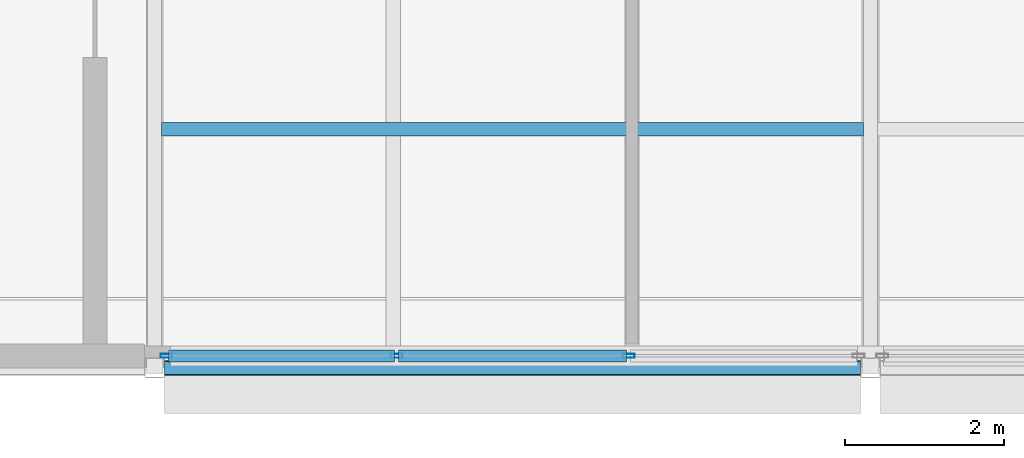
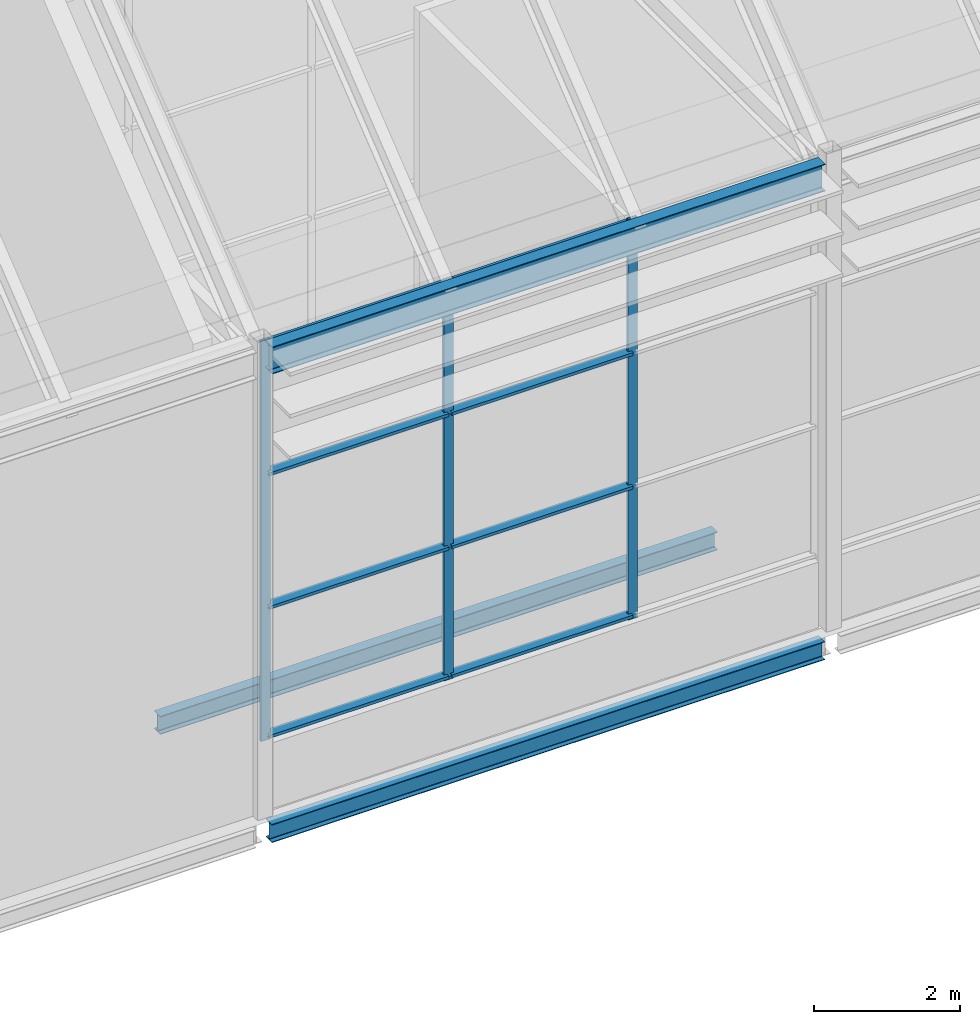
# One storey, part 10 of 144: 11 members, 3 beams, 1 element without a shape of its own.
"""IFC4 building model written with IfcOpenShell, lengths in metres."""

from ifc_helpers import new_model, si_unit, direction, frame, origin, origin_2d, place, context, subcontext, project, spatial, hollow_rectangle, i_section, extrude, material, layer, layer_set, material_profile, profile_set, type_object, element, aggregate, save


model = new_model("IFC4")

# Units and contexts
model_context = context("Model", 3, precision=1e-05, world=origin(), true_north=direction((0.0, 1.0)))
body_context = subcontext(model_context, "Body", "Model", "MODEL_VIEW")
ifc_project = project(units=[si_unit("LENGTHUNIT", "METRE"), si_unit("AREAUNIT", "SQUARE_METRE"), si_unit("VOLUMEUNIT", "CUBIC_METRE"), si_unit("PLANEANGLEUNIT", "RADIAN"), si_unit("MASSUNIT", "GRAM", prefix="KILO")], contexts=[model_context])

# Site, building, storey
site_placement = place(None, origin())
site = spatial("IfcSite", under=ifc_project, at=site_placement, CompositionType="ELEMENT")
building_placement = place(site_placement, origin())
building = spatial("IfcBuilding", under=site, at=building_placement, Name="Shorebreak Coast Museum", CompositionType="ELEMENT")
storey_placement = place(building_placement, frame((0.0, 0.0, 36.0)))
storey = spatial("IfcBuildingStorey", under=building, at=storey_placement, Name="L06", CompositionType="ELEMENT", Elevation=36.0)

# Beams
ifc_material_1 = material(Name="Steel Grade 300", Category="steel")
ifc_material_profile_1 = material_profile(ifc_material_1, i_section(OverallWidth=0.166015625, OverallDepth=0.30712890625, WebThickness=0.006591796875, FlangeThickness=0.01171875, FilletRadius=0.011474609375, at=origin_2d()), Name="310UB46.2")
ifc_profile_set_1 = profile_set([ifc_material_profile_1], Name="Steel Grade 300")
beam_type_1 = type_object("IfcBeamType", Name="Floor girder east-west 310UB46.2", PredefinedType="BEAM", material=ifc_profile_set_1)
beam_1_placement = place(storey_placement, frame((63.125, 54.0, -0.32861328125), z_axis=(1.0, 0.0, 0.0), x_axis=(0.0, 1.0, 0.0)))
element("IfcBeam", 1, at=beam_1_placement, inside=storey, type_object=beam_type_1, Name="Floor girder east-west L06 8G", PredefinedType="BEAM", context=body_context, shape_type="SweptSolid", body=[
    extrude(i_section(OverallWidth=0.166015625, OverallDepth=0.30712890625, WebThickness=0.006591796875, FlangeThickness=0.01171875, FilletRadius=0.011474609375, at=origin_2d()), origin(), (0.0, 0.0, 1.0), 8.75),
])
ifc_material_2 = material(Name="Steel Grade 300", Category="steel")
ifc_material_profile_2 = material_profile(ifc_material_2, i_section(OverallWidth=0.1650390625, OverallDepth=0.303955078125, WebThickness=0.006103515625, FlangeThickness=0.01025390625, FilletRadius=0.011474609375, at=origin_2d()), Name="310UB40.4")
ifc_profile_set_2 = profile_set([ifc_material_profile_2], Name="Steel Grade 300")
beam_type_2 = type_object("IfcBeamType", Name="Floor joist 310UB40.4", PredefinedType="JOIST", material=ifc_profile_set_2)
beam_2_placement = place(storey_placement, frame((63.089111328125, 57.0, -0.326904296875), z_axis=(1.0, 0.0, 0.0), x_axis=(0.0, 1.0, 0.0)))
element("IfcBeam", 2, at=beam_2_placement, inside=storey, type_object=beam_type_2, Name="Floor joist L06 bay 8G at 3000 mm", PredefinedType="JOIST", context=body_context, shape_type="SweptSolid", body=[
    extrude(i_section(OverallWidth=0.1650390625, OverallDepth=0.303955078125, WebThickness=0.006103515625, FlangeThickness=0.01025390625, FilletRadius=0.011474609375, at=origin_2d()), origin(), (0.0, 0.0, 1.0), 8.82177734375),
])
ifc_material_3 = material(Name="Steel Grade 300", Category="steel")
ifc_material_profile_3 = material_profile(ifc_material_3, i_section(OverallWidth=0.18994140625, OverallDepth=0.453857421875, WebThickness=0.008544921875, FlangeThickness=0.0126953125, FilletRadius=0.011474609375, at=origin_2d()), Name="460UB67.1")
ifc_profile_set_3 = profile_set([ifc_material_profile_3], Name="Steel Grade 300")
beam_type_3 = type_object("IfcBeamType", Name="Fold valley girder 460UB67.1", PredefinedType="BEAM", material=ifc_profile_set_3)
beam_3_placement = place(storey_placement, frame((63.125, 54.0, 7.593017578125), z_axis=(1.0, 0.0, 0.0), x_axis=(0.0, 1.0, 0.0)))
element("IfcBeam", 3, at=beam_3_placement, inside=storey, type_object=beam_type_3, Name="Fold valley girder FOLD-X line G bay 8G", PredefinedType="BEAM", context=body_context, shape_type="SweptSolid", body=[
    extrude(i_section(OverallWidth=0.18994140625, OverallDepth=0.453857421875, WebThickness=0.008544921875, FlangeThickness=0.0126953125, FilletRadius=0.011474609375, at=origin_2d()), origin(), (0.0, 0.0, 1.0), 8.75),
])

# Curtain wall, members
ifc_material_4 = material(Name="Aluminium", Category="aluminium")
ifc_layer = layer(ifc_material_4, 0.14990234375)
ifc_layer_set = layer_set([ifc_layer], Name="Aluminium")
curtain_wall_type = type_object("IfcCurtainWallType", Name="Storefront curtain wall", PredefinedType="NOTDEFINED", material=ifc_layer_set)
curtain_wall_placement = place(storey_placement, origin())
curtain_wall = element("IfcCurtainWall", 4, at=curtain_wall_placement, inside=storey, type_object=curtain_wall_type, Name="Atrium Hall glazing L06 S 22", PredefinedType="NOTDEFINED")
ifc_material_5 = material(Name="Aluminium", Category="aluminium")
ifc_material_profile_4 = material_profile(ifc_material_5, hollow_rectangle(XDim=0.050048828125, YDim=0.14990234375, WallThickness=0.00390625, at=origin_2d()), Name="AL 150x50 RHS")
ifc_profile_set_4 = profile_set([ifc_material_profile_4], Name="Aluminium")
member_type_1 = type_object("IfcMemberType", Name="Storefront mullion 50 x 150", PredefinedType="MULLION", material=ifc_profile_set_4)
member_1_placement = place(storey_placement, frame((63.14990234375, 54.14990234375, 1.10009765625), z_axis=(0.0, 0.0, 1.0), x_axis=(0.0, 1.0, 0.0)))
member_1 = element("IfcMember", 5, at=member_1_placement, type_object=member_type_1, Name="CW5 mullion 1", PredefinedType="MULLION", context=body_context, shape_type="SweptSolid", body=[
    extrude(hollow_rectangle(XDim=0.050048828125, YDim=0.14990234375, WallThickness=0.00390625, at=origin_2d()), origin(), (0.0, 0.0, 1.0), 6.699951171875),
])
member_2_placement = place(storey_placement, frame((66.041748046875, 54.14990234375, 1.10009765625), z_axis=(0.0, 0.0, 1.0), x_axis=(0.0, 1.0, 0.0)))
member_2 = element("IfcMember", 6, at=member_2_placement, type_object=member_type_1, Name="CW5 mullion 2", PredefinedType="MULLION", context=body_context, shape_type="SweptSolid", body=[
    extrude(hollow_rectangle(XDim=0.050048828125, YDim=0.14990234375, WallThickness=0.00390625, at=origin_2d()), origin(), (0.0, 0.0, 1.0), 6.699951171875),
])
member_3_placement = place(storey_placement, frame((68.958251953125, 54.14990234375, 1.10009765625), z_axis=(0.0, 0.0, 1.0), x_axis=(0.0, 1.0, 0.0)))
member_3 = element("IfcMember", 7, at=member_3_placement, type_object=member_type_1, Name="CW5 mullion 3", PredefinedType="MULLION", context=body_context, shape_type="SweptSolid", body=[
    extrude(hollow_rectangle(XDim=0.050048828125, YDim=0.14990234375, WallThickness=0.00390625, at=origin_2d()), origin(), (0.0, 0.0, 1.0), 6.699951171875),
])
ifc_material_6 = material(Name="Aluminium", Category="aluminium")
ifc_material_profile_5 = material_profile(ifc_material_6, hollow_rectangle(XDim=0.14990234375, YDim=0.050048828125, WallThickness=0.00390625, at=origin_2d()), Name="AL 50x150 RHS")
ifc_profile_set_5 = profile_set([ifc_material_profile_5], Name="Aluminium")
member_type_2 = type_object("IfcMemberType", Name="Storefront transom 150 x 50", PredefinedType="USERDEFINED", material=ifc_profile_set_5)
member_4_placement = place(storey_placement, frame((63.175048828125, 54.14990234375, 1.175048828125), z_axis=(1.0, 0.0, 0.0), x_axis=(0.0, 1.0, 0.0)))
member_4 = element("IfcMember", 8, at=member_4_placement, type_object=member_type_2, Name="CW5 transom 1.1", ObjectType="TRANSOM", PredefinedType="USERDEFINED", context=body_context, shape_type="SweptSolid", body=[
    extrude(hollow_rectangle(XDim=0.14990234375, YDim=0.050048828125, WallThickness=0.00390625, at=origin_2d()), origin(), (0.0, 0.0, 1.0), 2.841552734375),
])
member_5_placement = place(storey_placement, frame((63.175048828125, 54.14990234375, 3.333251953125), z_axis=(1.0, 0.0, 0.0), x_axis=(0.0, 1.0, 0.0)))
member_5 = element("IfcMember", 9, at=member_5_placement, type_object=member_type_2, Name="CW5 transom 1.2", ObjectType="TRANSOM", PredefinedType="USERDEFINED", context=body_context, shape_type="SweptSolid", body=[
    extrude(hollow_rectangle(XDim=0.14990234375, YDim=0.050048828125, WallThickness=0.00390625, at=origin_2d()), origin(), (0.0, 0.0, 1.0), 2.841552734375),
])
member_6_placement = place(storey_placement, frame((63.175048828125, 54.14990234375, 5.566650390625), z_axis=(1.0, 0.0, 0.0), x_axis=(0.0, 1.0, 0.0)))
member_6 = element("IfcMember", 10, at=member_6_placement, type_object=member_type_2, Name="CW5 transom 1.3", ObjectType="TRANSOM", PredefinedType="USERDEFINED", context=body_context, shape_type="SweptSolid", body=[
    extrude(hollow_rectangle(XDim=0.14990234375, YDim=0.050048828125, WallThickness=0.00390625, at=origin_2d()), origin(), (0.0, 0.0, 1.0), 2.841552734375),
])
member_7_placement = place(storey_placement, frame((63.175048828125, 54.14990234375, 7.72509765625), z_axis=(1.0, 0.0, 0.0), x_axis=(0.0, 1.0, 0.0)))
member_7 = element("IfcMember", 11, at=member_7_placement, type_object=member_type_2, Name="CW5 transom 1.4", ObjectType="TRANSOM", PredefinedType="USERDEFINED", context=body_context, shape_type="SweptSolid", body=[
    extrude(hollow_rectangle(XDim=0.14990234375, YDim=0.050048828125, WallThickness=0.00390625, at=origin_2d()), origin(), (0.0, 0.0, 1.0), 2.841552734375),
])
member_8_placement = place(storey_placement, frame((66.066650390625, 54.14990234375, 1.175048828125), z_axis=(1.0, 0.0, 0.0), x_axis=(0.0, 1.0, 0.0)))
member_8 = element("IfcMember", 12, at=member_8_placement, type_object=member_type_2, Name="CW5 transom 2.1", ObjectType="TRANSOM", PredefinedType="USERDEFINED", context=body_context, shape_type="SweptSolid", body=[
    extrude(hollow_rectangle(XDim=0.14990234375, YDim=0.050048828125, WallThickness=0.00390625, at=origin_2d()), origin(), (0.0, 0.0, 1.0), 2.86669921875),
])
member_9_placement = place(storey_placement, frame((66.066650390625, 54.14990234375, 3.333251953125), z_axis=(1.0, 0.0, 0.0), x_axis=(0.0, 1.0, 0.0)))
member_9 = element("IfcMember", 13, at=member_9_placement, type_object=member_type_2, Name="CW5 transom 2.2", ObjectType="TRANSOM", PredefinedType="USERDEFINED", context=body_context, shape_type="SweptSolid", body=[
    extrude(hollow_rectangle(XDim=0.14990234375, YDim=0.050048828125, WallThickness=0.00390625, at=origin_2d()), origin(), (0.0, 0.0, 1.0), 2.86669921875),
])
member_10_placement = place(storey_placement, frame((66.066650390625, 54.14990234375, 5.566650390625), z_axis=(1.0, 0.0, 0.0), x_axis=(0.0, 1.0, 0.0)))
member_10 = element("IfcMember", 14, at=member_10_placement, type_object=member_type_2, Name="CW5 transom 2.3", ObjectType="TRANSOM", PredefinedType="USERDEFINED", context=body_context, shape_type="SweptSolid", body=[
    extrude(hollow_rectangle(XDim=0.14990234375, YDim=0.050048828125, WallThickness=0.00390625, at=origin_2d()), origin(), (0.0, 0.0, 1.0), 2.86669921875),
])
member_11_placement = place(storey_placement, frame((66.066650390625, 54.14990234375, 7.72509765625), z_axis=(1.0, 0.0, 0.0), x_axis=(0.0, 1.0, 0.0)))
member_11 = element("IfcMember", 15, at=member_11_placement, type_object=member_type_2, Name="CW5 transom 2.4", ObjectType="TRANSOM", PredefinedType="USERDEFINED", context=body_context, shape_type="SweptSolid", body=[
    extrude(hollow_rectangle(XDim=0.14990234375, YDim=0.050048828125, WallThickness=0.00390625, at=origin_2d()), origin(), (0.0, 0.0, 1.0), 2.86669921875),
])
aggregate(curtain_wall, [member_1, member_2, member_3, member_4, member_5, member_6, member_7, member_8, member_9, member_10, member_11])

save(model, "model.ifc")
